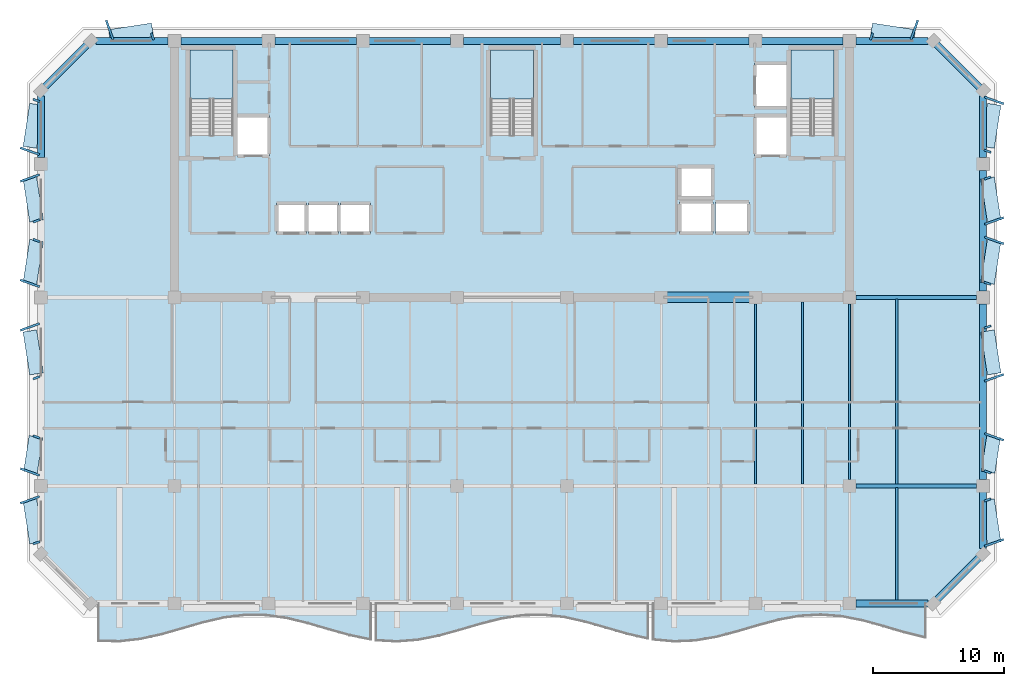
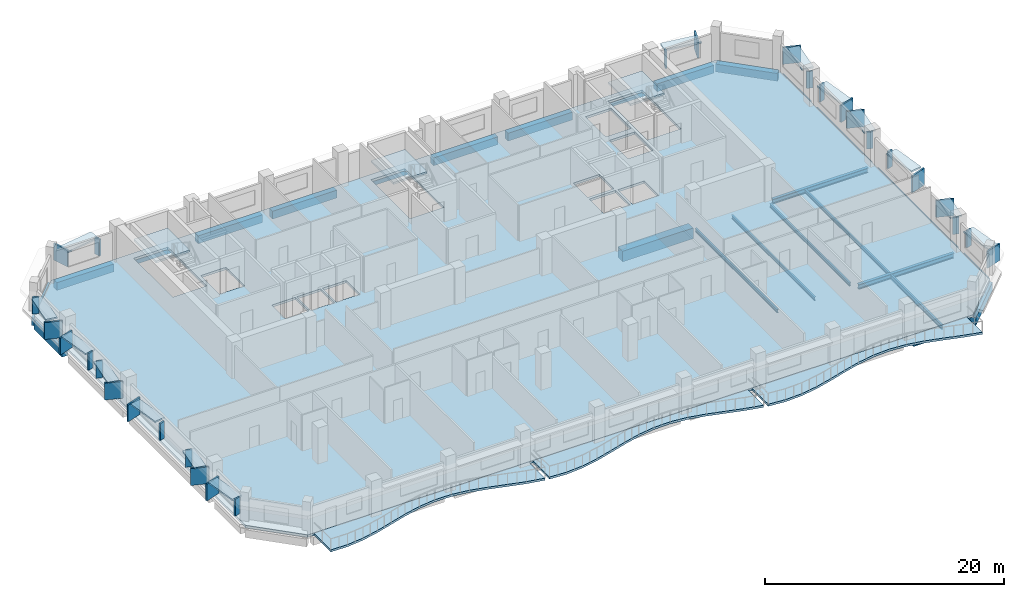
# One storey, part 2 of 11: 42 plates, 26 beams, 7 slabs, 3 elements without a shape of their own.
"""IFC4 building model written with IfcOpenShell, lengths in metres."""

from ifc_helpers import new_model, si_unit, direction, frame, origin, origin_2d, place, context, subcontext, project, spatial, polyline, rectangle, i_section, outline, extrude, material, layer, layer_set, material_profile, profile_set, type_object, element, aggregate, save


model = new_model("IFC4")

# Units and contexts
model_context = context("Model", 3, precision=1e-05, world=origin(), true_north=direction((0.0, 1.0)))
body_context = subcontext(model_context, "Body", "Model", "MODEL_VIEW")
ifc_project = project(units=[si_unit("LENGTHUNIT", "METRE"), si_unit("AREAUNIT", "SQUARE_METRE"), si_unit("VOLUMEUNIT", "CUBIC_METRE"), si_unit("PLANEANGLEUNIT", "RADIAN"), si_unit("MASSUNIT", "GRAM", prefix="KILO")], contexts=[model_context])

# Site, building, storey
site_placement = place(None, origin())
site = spatial("IfcSite", under=ifc_project, at=site_placement, CompositionType="ELEMENT")
building_placement = place(site_placement, origin())
building = spatial("IfcBuilding", under=site, at=building_placement, Name="Kaelvorn Grand Hotel", CompositionType="ELEMENT")
storey_placement = place(building_placement, frame((0.0, 0.0, 244.949951171875)))
storey = spatial("IfcBuildingStorey", under=building, at=storey_placement, Name="L60", CompositionType="ELEMENT", Elevation=244.949951171875)

# Beams
ifc_material_1 = material(Name="Steel S355", Category="steel")
ifc_material_profile_1 = material_profile(ifc_material_1, i_section(OverallWidth=0.300048828125, OverallDepth=0.5, WebThickness=0.014404296875, FlangeThickness=0.028076171875, FilletRadius=0.027099609375, at=origin_2d()), Name="HEB 500")
ifc_profile_set_1 = profile_set([ifc_material_profile_1], Name="Steel S355")
beam_type_1 = type_object("IfcBeamType", Name="BM-G-HEB500-S355", PredefinedType="BEAM", material=ifc_profile_set_1)
for number, where, z_axis, x_axis, name in (
    (1, (68.284912109375, 15.0, -0.489990234375), (1.0, 0.0, 0.0), (0.0, 1.0, 0.0), "L60 Primary Spine Steel Girder G-15 05"),
    (2, (68.284912109375, 29.39990234375, -0.489990234375), (1.0, 0.0, 0.0), (0.0, 1.0, 0.0), "L60 East Core Wing Steel Girder G-29E 01"),
):
    element("IfcBeam", number, at=place(storey_placement, frame(where, z_axis=z_axis, x_axis=x_axis)), inside=storey, type_object=beam_type_1, Name=name, PredefinedType="BEAM", context=body_context, shape_type="SweptSolid", body=[
        extrude(i_section(OverallWidth=0.300048828125, OverallDepth=0.5, WebThickness=0.014404296875, FlangeThickness=0.028076171875, FilletRadius=0.027099609375, at=origin_2d()), origin(), (0.0, 0.0, 1.0), 9.22998046875),
    ])
ifc_material_profile_2 = material_profile(ifc_material_1, i_section(OverallWidth=0.169921875, OverallDepth=0.360107421875, WebThickness=0.008056640625, FlangeThickness=0.0126953125, FilletRadius=0.01806640625, at=origin_2d()), Name="IPE 360")
ifc_profile_set_2 = profile_set([ifc_material_profile_2], Name="Steel S355")
beam_type_2 = type_object("IfcBeamType", Name="BM-J-IPE360-S355", PredefinedType="JOIST", material=ifc_profile_set_2)
beam_1_placement = place(storey_placement, frame((60.60009765625, 15.135009765625, -0.419921875), z_axis=(0.0, 1.0, 0.0), x_axis=(-1.0, 0.0, 0.0)))
element("IfcBeam", 3, at=beam_1_placement, inside=storey, type_object=beam_type_2, Name="L60 Composite Floor Joist JM-17", PredefinedType="JOIST", context=body_context, shape_type="SweptSolid", body=[
    extrude(i_section(OverallWidth=0.169921875, OverallDepth=0.360107421875, WebThickness=0.008056640625, FlangeThickness=0.0126953125, FilletRadius=0.01806640625, at=origin_2d()), origin(), (0.0, 0.0, 1.0), 13.780029296875),
])
beam_2_placement = place(storey_placement, frame((64.199951171875, 15.135009765625, -0.419921875), z_axis=(0.0, 1.0, 0.0), x_axis=(-1.0, 0.0, 0.0)))
element("IfcBeam", 4, at=beam_2_placement, inside=storey, type_object=beam_type_2, Name="L60 Composite Floor Joist JM-18", PredefinedType="JOIST", context=body_context, shape_type="SweptSolid", body=[
    extrude(i_section(OverallWidth=0.169921875, OverallDepth=0.360107421875, WebThickness=0.008056640625, FlangeThickness=0.0126953125, FilletRadius=0.01806640625, at=origin_2d()), origin(), (0.0, 0.0, 1.0), 13.925048828125),
])
beam_3_placement = place(storey_placement, frame((67.800048828125, 15.485107421875, -0.419921875), z_axis=(0.0, 1.0, 0.0), x_axis=(-1.0, 0.0, 0.0)))
element("IfcBeam", 5, at=beam_3_placement, inside=storey, type_object=beam_type_2, Name="L60 Composite Floor Joist JM-19", PredefinedType="JOIST", context=body_context, shape_type="SweptSolid", body=[
    extrude(i_section(OverallWidth=0.169921875, OverallDepth=0.360107421875, WebThickness=0.008056640625, FlangeThickness=0.0126953125, FilletRadius=0.01806640625, at=origin_2d()), origin(), (0.0, 0.0, 1.0), 13.429931640625),
])
beam_4_placement = place(storey_placement, frame((71.39990234375, 15.135009765625, -0.419921875), z_axis=(0.0, 1.0, 0.0), x_axis=(-1.0, 0.0, 0.0)))
element("IfcBeam", 6, at=beam_4_placement, inside=storey, type_object=beam_type_2, Name="L60 Composite Floor Joist JM-20", PredefinedType="JOIST", context=body_context, shape_type="SweptSolid", body=[
    extrude(i_section(OverallWidth=0.169921875, OverallDepth=0.360107421875, WebThickness=0.008056640625, FlangeThickness=0.0126953125, FilletRadius=0.01806640625, at=origin_2d()), origin(), (0.0, 0.0, 1.0), 14.1298828125),
])
ifc_material_profile_3 = material_profile(ifc_material_1, i_section(OverallWidth=0.18994140625, OverallDepth=0.449951171875, WebThickness=0.009521484375, FlangeThickness=0.0146484375, FilletRadius=0.02099609375, at=origin_2d()), Name="IPE 450")
ifc_profile_set_3 = profile_set([ifc_material_profile_3], Name="Steel S355")
beam_type_3 = type_object("IfcBeamType", Name="BM-J-IPE450-S355", PredefinedType="JOIST", material=ifc_profile_set_3)
beam_5_placement = place(storey_placement, frame((71.39990234375, 6.260009765625, -0.46484375), z_axis=(0.0, 1.0, 0.0), x_axis=(-1.0, 0.0, 0.0)))
element("IfcBeam", 7, at=beam_5_placement, inside=storey, type_object=beam_type_3, Name="L60 Composite Floor Joist JS-20", PredefinedType="JOIST", context=body_context, shape_type="SweptSolid", body=[
    extrude(i_section(OverallWidth=0.18994140625, OverallDepth=0.449951171875, WebThickness=0.009521484375, FlangeThickness=0.0146484375, FilletRadius=0.02099609375, at=origin_2d()), origin(), (0.0, 0.0, 1.0), 8.60498046875),
])
ifc_material_2 = material(Name="Concrete C60/75", Category="concrete")
ifc_material_profile_4 = material_profile(ifc_material_2, rectangle(XDim=0.800048828125, YDim=1.10009765625, at=origin_2d()), Name="RC LINTEL 800x1100")
ifc_profile_set_4 = profile_set([ifc_material_profile_4], Name="Concrete C60/75")
beam_type_4 = type_object("IfcBeamType", Name="BM-LIN-800x1100-C60", PredefinedType="LINTEL", material=ifc_profile_set_4)
beam_6_placement = place(storey_placement, frame((53.580078125, 29.39990234375, -0.7900390625), z_axis=(1.0, 0.0, 0.0), x_axis=(0.0, 1.0, 0.0)))
element("IfcBeam", 8, at=beam_6_placement, inside=storey, type_object=beam_type_4, Name="L60 Rear-Core Coupling Lintel Beam CB1-03", PredefinedType="LINTEL", context=body_context, shape_type="SweptSolid", body=[
    extrude(rectangle(XDim=0.800048828125, YDim=1.10009765625, at=origin_2d()), origin(), (0.0, 0.0, 1.0), 6.83984375),
])
ifc_material_3 = material(Name="Concrete C50/60", Category="concrete")
ifc_material_profile_5 = material_profile(ifc_material_3, rectangle(XDim=0.550048828125, YDim=0.800048828125, at=origin_2d()), Name="RC SPANDREL 550x800")
ifc_profile_set_5 = profile_set([ifc_material_profile_5], Name="Concrete C50/60")
beam_type_5 = type_object("IfcBeamType", Name="BM-SP-550x800-C50", PredefinedType="SPANDREL", material=ifc_profile_set_5)
for number, where, z_axis, x_axis, name in (
    (9, (68.284912109375, 6.0, -0.639892578125), (1.0, 0.0, 0.0), (0.0, 1.0, 0.0), "L60 South Perimeter Spandrel 09"),
    (10, (10.205078125, 49.0, -0.639892578125), (1.0, 0.0, 0.0), (0.0, 1.0, 0.0), "L60 North Perimeter Spandrel 01"),
):
    element("IfcBeam", number, at=place(storey_placement, frame(where, z_axis=z_axis, x_axis=x_axis)), inside=storey, type_object=beam_type_5, Name=name, PredefinedType="SPANDREL", context=body_context, shape_type="SweptSolid", body=[
        extrude(rectangle(XDim=0.550048828125, YDim=0.800048828125, at=origin_2d()), origin(), (0.0, 0.0, 1.0), 5.510009765625),
    ])
for number, where, z_axis, x_axis, name in (
    (11, (16.68505859375, 49.0, -0.639892578125), (1.0, 0.0, 0.0), (0.0, 1.0, 0.0), "L60 North Perimeter Spandrel 02"),
    (12, (23.885009765625, 49.0, -0.639892578125), (1.0, 0.0, 0.0), (0.0, 1.0, 0.0), "L60 North Perimeter Spandrel 03"),
    (13, (31.0849609375, 49.0, -0.639892578125), (1.0, 0.0, 0.0), (0.0, 1.0, 0.0), "L60 North Perimeter Spandrel 04"),
):
    element("IfcBeam", number, at=place(storey_placement, frame(where, z_axis=z_axis, x_axis=x_axis)), inside=storey, type_object=beam_type_5, Name=name, PredefinedType="SPANDREL", context=body_context, shape_type="SweptSolid", body=[
        extrude(rectangle(XDim=0.550048828125, YDim=0.800048828125, at=origin_2d()), origin(), (0.0, 0.0, 1.0), 6.22998046875),
    ])
beam_7_placement = place(storey_placement, frame((38.284912109375, 49.0, -0.639892578125), z_axis=(1.0, 0.0, 0.0), x_axis=(0.0, 1.0, 0.0)))
element("IfcBeam", 14, at=beam_7_placement, inside=storey, type_object=beam_type_5, Name="L60 North Perimeter Spandrel 05", PredefinedType="SPANDREL", context=body_context, shape_type="SweptSolid", body=[
    extrude(rectangle(XDim=0.550048828125, YDim=0.800048828125, at=origin_2d()), origin(), (0.0, 0.0, 1.0), 7.43017578125),
])
for number, where, z_axis, x_axis, name in (
    (15, (46.68505859375, 49.0, -0.639892578125), (1.0, 0.0, 0.0), (0.0, 1.0, 0.0), "L60 North Perimeter Spandrel 06"),
    (16, (53.885009765625, 49.0, -0.639892578125), (1.0, 0.0, 0.0), (0.0, 1.0, 0.0), "L60 North Perimeter Spandrel 07"),
    (17, (61.0849609375, 49.0, -0.639892578125), (1.0, 0.0, 0.0), (0.0, 1.0, 0.0), "L60 North Perimeter Spandrel 08"),
):
    element("IfcBeam", number, at=place(storey_placement, frame(where, z_axis=z_axis, x_axis=x_axis)), inside=storey, type_object=beam_type_5, Name=name, PredefinedType="SPANDREL", context=body_context, shape_type="SweptSolid", body=[
        extrude(rectangle(XDim=0.550048828125, YDim=0.800048828125, at=origin_2d()), origin(), (0.0, 0.0, 1.0), 6.22998046875),
    ])
beam_8_placement = place(storey_placement, frame((68.284912109375, 49.0, -0.639892578125), z_axis=(1.0, 0.0, 0.0), x_axis=(0.0, 1.0, 0.0)))
element("IfcBeam", 18, at=beam_8_placement, inside=storey, type_object=beam_type_5, Name="L60 North Perimeter Spandrel 09", PredefinedType="SPANDREL", context=body_context, shape_type="SweptSolid", body=[
    extrude(rectangle(XDim=0.550048828125, YDim=0.800048828125, at=origin_2d()), origin(), (0.0, 0.0, 1.0), 5.510009765625),
])
beam_9_placement = place(storey_placement, frame((6.0, 40.0849609375, -0.639892578125), z_axis=(0.0, 1.0, 0.0), x_axis=(-1.0, 0.0, 0.0)))
element("IfcBeam", 19, at=beam_9_placement, inside=storey, type_object=beam_type_5, Name="L60 West Perimeter Spandrel 04", PredefinedType="SPANDREL", context=body_context, shape_type="SweptSolid", body=[
    extrude(rectangle(XDim=0.550048828125, YDim=0.800048828125, at=origin_2d()), origin(), (0.0, 0.0, 1.0), 4.7099609375),
])
beam_10_placement = place(storey_placement, frame((78.0, 10.205078125, -0.639892578125), z_axis=(0.0, 1.0, 0.0), x_axis=(-1.0, 0.0, 0.0)))
element("IfcBeam", 20, at=beam_10_placement, inside=storey, type_object=beam_type_5, Name="L60 East Perimeter Spandrel 01", PredefinedType="SPANDREL", context=body_context, shape_type="SweptSolid", body=[
    extrude(rectangle(XDim=0.550048828125, YDim=0.800048828125, at=origin_2d()), origin(), (0.0, 0.0, 1.0), 4.309814453125),
])
beam_11_placement = place(storey_placement, frame((78.0, 15.485107421875, -0.639892578125), z_axis=(0.0, 1.0, 0.0), x_axis=(-1.0, 0.0, 0.0)))
element("IfcBeam", 21, at=beam_11_placement, inside=storey, type_object=beam_type_5, Name="L60 East Perimeter Spandrel 02", PredefinedType="SPANDREL", context=body_context, shape_type="SweptSolid", body=[
    extrude(rectangle(XDim=0.550048828125, YDim=0.800048828125, at=origin_2d()), origin(), (0.0, 0.0, 1.0), 13.429931640625),
])
beam_12_placement = place(storey_placement, frame((78.0, 29.885009765625, -0.639892578125), z_axis=(0.0, 1.0, 0.0), x_axis=(-1.0, 0.0, 0.0)))
element("IfcBeam", 22, at=beam_12_placement, inside=storey, type_object=beam_type_5, Name="L60 East Perimeter Spandrel 03", PredefinedType="SPANDREL", context=body_context, shape_type="SweptSolid", body=[
    extrude(rectangle(XDim=0.550048828125, YDim=0.800048828125, at=origin_2d()), origin(), (0.0, 0.0, 1.0), 9.22998046875),
])
beam_13_placement = place(storey_placement, frame((78.0, 40.0849609375, -0.639892578125), z_axis=(0.0, 1.0, 0.0), x_axis=(-1.0, 0.0, 0.0)))
element("IfcBeam", 23, at=beam_13_placement, inside=storey, type_object=beam_type_5, Name="L60 East Perimeter Spandrel 04", PredefinedType="SPANDREL", context=body_context, shape_type="SweptSolid", body=[
    extrude(rectangle(XDim=0.550048828125, YDim=0.800048828125, at=origin_2d()), origin(), (0.0, 0.0, 1.0), 4.7099609375),
])
for number, where, z_axis, x_axis, name in (
    (24, (74.199951171875, 6.0, -0.639892578125), (0.707106781187, 0.707106781187, 0.0), (-0.707106781187, 0.707106781187, 0.0), "L60 Chamfer Spandrel Beam 1"),
    (25, (78.0, 45.199951171875, -0.639892578125), (-0.707106781187, 0.707106781187, 0.0), (-0.707106781187, -0.707106781187, 0.0), "L60 Chamfer Spandrel Beam 2"),
    (26, (9.800048828125, 49.0, -0.639892578125), (-0.707106781187, -0.707106781187, 0.0), (0.707106781187, -0.707106781187, 0.0), "L60 Chamfer Spandrel Beam 3"),
):
    element("IfcBeam", number, at=place(storey_placement, frame(where, z_axis=z_axis, x_axis=x_axis)), inside=storey, type_object=beam_type_5, Name=name, PredefinedType="SPANDREL", context=body_context, shape_type="SweptSolid", body=[
        extrude(rectangle(XDim=0.550048828125, YDim=0.800048828125, at=origin_2d()), origin(), (0.0, 0.0, 1.0), 5.3740234375),
    ])

# Plates
ifc_material_4 = material(Name="Precast concrete C45/55", Category="concrete")
ifc_layer_1 = layer(ifc_material_4, 0.159912109375)
ifc_layer_set_1 = layer_set([ifc_layer_1], Name="Precast concrete C45/55")
plate_type_1 = type_object("IfcPlateType", Name="PL-FRAME-DEEP-1550", PredefinedType="USERDEFINED", material=ifc_layer_set_1)
for number, where, z_axis, x_axis, name in (
    (27, (78.844970703125, 10.64501953125, 0.740234375), (0.0, 0.0, 1.0), (-0.333806859234, 0.942641491092, 0.0), "L60 Tilted Precast Window Frame Fin L-E01"),
    (28, (78.844970703125, 18.739990234375, 0.740234375), (0.0, 0.0, 1.0), (0.333806859234, 0.942641491092, 0.0), "L60 Tilted Precast Window Frame Fin R-E02"),
    (29, (78.844970703125, 23.260009765625, 0.81494140625), (0.0, 0.0, 1.0), (-0.333806859234, 0.942641491092, 0.0), "L60 Tilted Precast Window Frame Fin L-E03"),
    (30, (78.844970703125, 33.7548828125, 0.740234375), (0.0, 0.0, 1.0), (0.333806859234, 0.942641491092, 0.0), "L60 Tilted Precast Window Frame Fin R-E04"),
    (31, (78.844970703125, 35.2451171875, 0.740234375), (0.0, 0.0, 1.0), (-0.333806859234, 0.942641491092, 0.0), "L60 Tilted Precast Window Frame Fin L-E05"),
    (32, (78.844970703125, 44.455078125, 0.81494140625), (0.0, 0.0, 1.0), (0.333806859234, 0.942641491092, 0.0), "L60 Tilted Precast Window Frame Fin R-E06"),
    (33, (5.155029296875, 13.925048828125, 0.740234375), (0.0, 0.0, 1.0), (-0.333806859234, 0.942641491092, 0.0), "L60 Tilted Precast Window Frame Fin R-W01"),
    (34, (5.155029296875, 16.06005859375, 0.740234375), (0.0, 0.0, 1.0), (0.333806859234, 0.942641491092, 0.0), "L60 Tilted Precast Window Frame Fin L-W02"),
    (35, (5.155029296875, 27.139892578125, 0.81494140625), (0.0, 0.0, 1.0), (-0.333806859234, 0.942641491092, 0.0), "L60 Tilted Precast Window Frame Fin R-W03"),
    (36, (5.155029296875, 30.47509765625, 0.740234375), (0.0, 0.0, 1.0), (0.333806859234, 0.942641491092, 0.0), "L60 Tilted Precast Window Frame Fin L-W04"),
    (37, (5.155029296875, 38.52490234375, 0.740234375), (0.0, 0.0, 1.0), (-0.333806859234, 0.942641491092, 0.0), "L60 Tilted Precast Window Frame Fin R-W05"),
    (38, (5.155029296875, 40.574951171875, 0.81494140625), (0.0, 0.0, 1.0), (0.333806859234, 0.942641491092, 0.0), "L60 Tilted Precast Window Frame Fin L-W06"),
    (39, (11.2451171875, 49.844970703125, 0.740234375), (0.0, 0.0, 1.0), (0.942641491092, 0.333806859234, 0.0), "L60 Tilted Precast Window Frame Fin L-N01"),
    (40, (72.7548828125, 49.844970703125, 0.740234375), (0.0, 0.0, 1.0), (0.942641491092, -0.333806859234, 0.0), "L60 Tilted Precast Window Frame Fin R-N02"),
):
    element("IfcPlate", number, at=place(storey_placement, frame(where, z_axis=z_axis, x_axis=x_axis)), inside=storey, type_object=plate_type_1, Name=name, ObjectType="FLANGE_PLATE", PredefinedType="USERDEFINED", context=body_context, shape_type="SweptSolid", body=[
        extrude(rectangle(XDim=0.159912109375, YDim=1.550048828125, at=origin_2d()), origin(), (0.0, 0.0, 1.0), 1.719970703125),
    ])
ifc_layer_2 = layer(ifc_material_4, 0.159912109375)
ifc_layer_set_2 = layer_set([ifc_layer_2], Name="Precast concrete C45/55")
plate_type_2 = type_object("IfcPlateType", Name="PL-FRAME-HEAD-1050", PredefinedType="USERDEFINED", material=ifc_layer_set_2)
plate_1_placement = place(storey_placement, frame((78.594970703125, 12.284912109375, 2.35009765625), z_axis=(0.0, 0.0, 1.0), x_axis=(-0.152554625759, 0.988295040036, 0.0)))
element("IfcPlate", 41, at=plate_1_placement, inside=storey, type_object=plate_type_2, Name="L60 Precast Window Frame Head Hood H-E01", ObjectType="FLANGE_PLATE", PredefinedType="USERDEFINED", context=body_context, shape_type="SweptSolid", body=[
    extrude(rectangle(XDim=3.320068359375, YDim=1.050048828125, at=origin_2d()), origin(), (0.0, 0.0, 1.0), 0.159912109375),
])
plate_2_placement = place(storey_placement, frame((78.594970703125, 17.39990234375, 2.35009765625), z_axis=(0.0, 0.0, 1.0), x_axis=(0.152554625759, 0.988295040036, 0.0)))
element("IfcPlate", 42, at=plate_2_placement, inside=storey, type_object=plate_type_2, Name="L60 Precast Window Frame Head Hood H-E02", ObjectType="FLANGE_PLATE", PredefinedType="USERDEFINED", context=body_context, shape_type="SweptSolid", body=[
    extrude(rectangle(XDim=2.760009765625, YDim=1.050048828125, at=origin_2d()), origin(), (0.0, 0.0, 1.0), 0.159912109375),
])
for number, where, z_axis, x_axis, name in (
    (43, (78.594970703125, 25.199951171875, 2.5), (0.0, 0.0, 1.0), (-0.152554625759, 0.988295040036, 0.0), "L60 Precast Window Frame Head Hood H-E03"),
    (44, (78.594970703125, 32.114990234375, 2.35009765625), (0.0, 0.0, 1.0), (0.152554625759, 0.988295040036, 0.0), "L60 Precast Window Frame Head Hood H-E04"),
    (45, (78.594970703125, 36.885009765625, 2.35009765625), (0.0, 0.0, 1.0), (-0.152554625759, 0.988295040036, 0.0), "L60 Precast Window Frame Head Hood H-E05"),
    (46, (78.594970703125, 42.514892578125, 2.5), (0.0, 0.0, 1.0), (0.152554625759, 0.988295040036, 0.0), "L60 Precast Window Frame Head Hood H-E06"),
    (47, (5.405029296875, 12.284912109375, 2.35009765625), (0.0, 0.0, 1.0), (-0.152554625759, 0.988295040036, 0.0), "L60 Precast Window Frame Head Hood H-W01"),
):
    element("IfcPlate", number, at=place(storey_placement, frame(where, z_axis=z_axis, x_axis=x_axis)), inside=storey, type_object=plate_type_2, Name=name, ObjectType="FLANGE_PLATE", PredefinedType="USERDEFINED", context=body_context, shape_type="SweptSolid", body=[
        extrude(rectangle(XDim=3.320068359375, YDim=1.050048828125, at=origin_2d()), origin(), (0.0, 0.0, 1.0), 0.159912109375),
    ])
plate_3_placement = place(storey_placement, frame((5.405029296875, 17.39990234375, 2.35009765625), z_axis=(0.0, 0.0, 1.0), x_axis=(0.152554625759, 0.988295040036, 0.0)))
element("IfcPlate", 48, at=plate_3_placement, inside=storey, type_object=plate_type_2, Name="L60 Precast Window Frame Head Hood H-W02", ObjectType="FLANGE_PLATE", PredefinedType="USERDEFINED", context=body_context, shape_type="SweptSolid", body=[
    extrude(rectangle(XDim=2.760009765625, YDim=1.050048828125, at=origin_2d()), origin(), (0.0, 0.0, 1.0), 0.159912109375),
])
for number, where, z_axis, x_axis, name in (
    (49, (5.405029296875, 25.199951171875, 2.5), (0.0, 0.0, 1.0), (-0.152554625759, 0.988295040036, 0.0), "L60 Precast Window Frame Head Hood H-W03"),
    (50, (5.405029296875, 32.114990234375, 2.35009765625), (0.0, 0.0, 1.0), (0.152554625759, 0.988295040036, 0.0), "L60 Precast Window Frame Head Hood H-W04"),
    (51, (5.405029296875, 36.885009765625, 2.35009765625), (0.0, 0.0, 1.0), (-0.152554625759, 0.988295040036, 0.0), "L60 Precast Window Frame Head Hood H-W05"),
    (52, (5.405029296875, 42.514892578125, 2.5), (0.0, 0.0, 1.0), (0.152554625759, 0.988295040036, 0.0), "L60 Precast Window Frame Head Hood H-W06"),
    (53, (12.885009765625, 49.594970703125, 2.35009765625), (0.0, 0.0, 1.0), (0.988295040036, 0.152554625759, 0.0), "L60 Precast Window Frame Head Hood H-N01"),
    (54, (71.114990234375, 49.594970703125, 2.35009765625), (0.0, 0.0, 1.0), (0.988295040036, -0.152554625759, 0.0), "L60 Precast Window Frame Head Hood H-N02"),
):
    element("IfcPlate", number, at=place(storey_placement, frame(where, z_axis=z_axis, x_axis=x_axis)), inside=storey, type_object=plate_type_2, Name=name, ObjectType="FLANGE_PLATE", PredefinedType="USERDEFINED", context=body_context, shape_type="SweptSolid", body=[
        extrude(rectangle(XDim=3.320068359375, YDim=1.050048828125, at=origin_2d()), origin(), (0.0, 0.0, 1.0), 0.159912109375),
    ])
ifc_layer_3 = layer(ifc_material_4, 0.159912109375)
ifc_layer_set_3 = layer_set([ifc_layer_3], Name="Precast concrete C45/55")
plate_type_3 = type_object("IfcPlateType", Name="PL-FRAME-SHAL-550", PredefinedType="USERDEFINED", material=ifc_layer_set_3)
for number, where, z_axis, x_axis, name in (
    (55, (78.344970703125, 13.925048828125, 0.740234375), (0.0, 0.0, 1.0), (-0.333806859234, 0.942641491092, 0.0), "L60 Tilted Precast Window Frame Fin R-E01"),
    (56, (78.344970703125, 16.06005859375, 0.740234375), (0.0, 0.0, 1.0), (0.333806859234, 0.942641491092, 0.0), "L60 Tilted Precast Window Frame Fin L-E02"),
    (57, (78.344970703125, 27.139892578125, 0.81494140625), (0.0, 0.0, 1.0), (-0.333806859234, 0.942641491092, 0.0), "L60 Tilted Precast Window Frame Fin R-E03"),
    (58, (78.344970703125, 30.47509765625, 0.740234375), (0.0, 0.0, 1.0), (0.333806859234, 0.942641491092, 0.0), "L60 Tilted Precast Window Frame Fin L-E04"),
    (59, (78.344970703125, 38.52490234375, 0.740234375), (0.0, 0.0, 1.0), (-0.333806859234, 0.942641491092, 0.0), "L60 Tilted Precast Window Frame Fin R-E05"),
    (60, (78.344970703125, 40.574951171875, 0.81494140625), (0.0, 0.0, 1.0), (0.333806859234, 0.942641491092, 0.0), "L60 Tilted Precast Window Frame Fin L-E06"),
    (61, (5.655029296875, 10.64501953125, 0.740234375), (0.0, 0.0, 1.0), (-0.333806859234, 0.942641491092, 0.0), "L60 Tilted Precast Window Frame Fin L-W01"),
    (62, (5.655029296875, 18.739990234375, 0.740234375), (0.0, 0.0, 1.0), (0.333806859234, 0.942641491092, 0.0), "L60 Tilted Precast Window Frame Fin R-W02"),
    (63, (5.655029296875, 23.260009765625, 0.81494140625), (0.0, 0.0, 1.0), (-0.333806859234, 0.942641491092, 0.0), "L60 Tilted Precast Window Frame Fin L-W03"),
    (64, (5.655029296875, 33.7548828125, 0.740234375), (0.0, 0.0, 1.0), (0.333806859234, 0.942641491092, 0.0), "L60 Tilted Precast Window Frame Fin R-W04"),
    (65, (5.655029296875, 35.2451171875, 0.740234375), (0.0, 0.0, 1.0), (-0.333806859234, 0.942641491092, 0.0), "L60 Tilted Precast Window Frame Fin L-W05"),
    (66, (5.655029296875, 44.455078125, 0.81494140625), (0.0, 0.0, 1.0), (0.333806859234, 0.942641491092, 0.0), "L60 Tilted Precast Window Frame Fin R-W06"),
    (67, (14.52490234375, 49.344970703125, 0.740234375), (0.0, 0.0, 1.0), (0.942641491092, 0.333806859234, 0.0), "L60 Tilted Precast Window Frame Fin R-N01"),
    (68, (69.47509765625, 49.344970703125, 0.740234375), (0.0, 0.0, 1.0), (0.942641491092, -0.333806859234, 0.0), "L60 Tilted Precast Window Frame Fin L-N02"),
):
    element("IfcPlate", number, at=place(storey_placement, frame(where, z_axis=z_axis, x_axis=x_axis)), inside=storey, type_object=plate_type_3, Name=name, ObjectType="FLANGE_PLATE", PredefinedType="USERDEFINED", context=body_context, shape_type="SweptSolid", body=[
        extrude(rectangle(XDim=0.159912109375, YDim=0.550048828125, at=origin_2d()), origin(), (0.0, 0.0, 1.0), 1.719970703125),
    ])

# Slabs
ifc_material_5 = material(Name="Concrete C40/50", Category="concrete")
ifc_layer_4 = layer(ifc_material_5, 0.219970703125)
ifc_layer_set_4 = layer_set([ifc_layer_4], Name="Concrete C40/50")
slab_type_1 = type_object("IfcSlabType", Name="SLB-BALC-220-C40", PredefinedType="FLOOR", material=ifc_layer_set_4)
slab_1_placement = place(storey_placement, frame((0.0, 0.0, -0.219970703125)))
element("IfcSlab", 69, at=slab_1_placement, inside=storey, type_object=slab_type_1, Name="L60 Scalloped Wave Balcony Slab 1", PredefinedType="FLOOR", context=body_context, shape_type="SweptSolid", body=[
    extrude(outline(polyline([(10.39990234375, 3.150146484375), (12.0, 3.11181640625), (13.60009765625, 3.288818359375), (15.199951171875, 3.643798828125), (16.800048828125, 4.10107421875), (18.39990234375, 4.5634765625), (20.0, 4.9326171875), (21.60009765625, 5.130126953125), (23.199951171875, 5.113525390625), (24.800048828125, 4.88671875), (26.39990234375, 4.497802734375), (28.0, 4.02978515625), (29.60009765625, 3.581787109375), (31.199951171875, 3.24951171875), (31.199951171875, 6.0), (10.39990234375, 6.0), (10.39990234375, 3.150146484375)])), origin(), (0.0, 0.0, 1.0), 0.219970703125),
])
slab_2_placement = place(storey_placement, frame((0.0, 0.0, -0.219970703125)))
element("IfcSlab", 70, at=slab_2_placement, inside=storey, type_object=slab_type_1, Name="L60 Scalloped Wave Balcony Slab 2", PredefinedType="FLOOR", context=body_context, shape_type="SweptSolid", body=[
    extrude(outline(polyline([(31.60009765625, 3.193603515625), (33.199951171875, 3.1005859375), (34.800048828125, 3.2255859375), (36.39990234375, 3.5419921875), (38.0, 3.982421875), (39.60009765625, 4.453125), (41.199951171875, 4.85400390625), (42.800048828125, 5.099853515625), (44.39990234375, 5.13818359375), (46.0, 4.961181640625), (47.60009765625, 4.606201171875), (49.199951171875, 4.14892578125), (50.800048828125, 3.6865234375), (52.39990234375, 3.3173828125), (52.39990234375, 6.0), (31.60009765625, 6.0), (31.60009765625, 3.193603515625)])), origin(), (0.0, 0.0, 1.0), 0.219970703125),
])
slab_3_placement = place(storey_placement, frame((0.0, 0.0, -0.219970703125)))
element("IfcSlab", 71, at=slab_3_placement, inside=storey, type_object=slab_type_1, Name="L60 Scalloped Wave Balcony Slab 3", PredefinedType="FLOOR", context=body_context, shape_type="SweptSolid", body=[
    extrude(outline(polyline([(52.800048828125, 3.24951171875), (54.39990234375, 3.103515625), (56.0, 3.174560546875), (57.60009765625, 3.447998046875), (59.199951171875, 3.865478515625), (60.800048828125, 4.338134765625), (62.39990234375, 4.765380859375), (64.0, 5.056396484375), (65.60009765625, 5.1494140625), (67.199951171875, 5.0244140625), (68.800048828125, 4.7080078125), (70.39990234375, 4.267578125), (72.0, 3.796875), (73.60009765625, 3.39599609375), (73.60009765625, 6.0), (52.800048828125, 6.0), (52.800048828125, 3.24951171875)])), origin(), (0.0, 0.0, 1.0), 0.219970703125),
])
ifc_layer_5 = layer(ifc_material_5, 0.239990234375)
ifc_layer_set_5 = layer_set([ifc_layer_5], Name="Concrete C40/50")
slab_type_2 = type_object("IfcSlabType", Name="SLB-FLR-240-C40", PredefinedType="FLOOR", material=ifc_layer_set_5)
slab_4_placement = place(storey_placement, frame((0.0, 0.0, -0.239990234375)))
element("IfcSlab", 72, at=slab_4_placement, inside=storey, type_object=slab_type_2, Name="L60 Indoor Suspended Floor Slab", PredefinedType="FLOOR", context=body_context, shape_type="SweptSolid", body=[
    extrude(outline(polyline([(9.800048828125, 6.0), (74.199951171875, 6.0), (78.0, 9.800048828125), (78.0, 45.199951171875), (74.199951171875, 49.0), (9.800048828125, 49.0), (6.0, 45.199951171875), (6.0, 9.800048828125), (9.800048828125, 6.0)]), holes=[polyline([(17.39990234375, 41.760009765625), (17.39990234375, 48.300048828125), (20.679931640625, 48.300048828125), (20.679931640625, 41.760009765625), (17.39990234375, 41.760009765625)]), polyline([(40.360107421875, 41.760009765625), (40.360107421875, 48.300048828125), (43.639892578125, 48.300048828125), (43.639892578125, 41.760009765625), (40.360107421875, 41.760009765625)]), polyline([(63.320068359375, 41.760009765625), (63.320068359375, 48.300048828125), (66.60009765625, 48.300048828125), (66.60009765625, 41.760009765625), (63.320068359375, 41.760009765625)]), polyline([(24.0, 34.300048828125), (24.0, 36.60009765625), (26.300048828125, 36.60009765625), (26.300048828125, 34.300048828125), (24.0, 34.300048828125)]), polyline([(26.449951171875, 34.300048828125), (26.449951171875, 36.60009765625), (28.75, 36.60009765625), (28.75, 34.300048828125), (26.449951171875, 34.300048828125)]), polyline([(28.89990234375, 34.300048828125), (28.89990234375, 36.60009765625), (31.199951171875, 36.60009765625), (31.199951171875, 34.300048828125), (28.89990234375, 34.300048828125)]), polyline([(54.800048828125, 34.300048828125), (54.800048828125, 36.699951171875), (57.35009765625, 36.699951171875), (57.35009765625, 34.300048828125), (54.800048828125, 34.300048828125)]), polyline([(57.550048828125, 34.300048828125), (57.550048828125, 36.699951171875), (60.10009765625, 36.699951171875), (60.10009765625, 34.300048828125), (57.550048828125, 34.300048828125)]), polyline([(54.800048828125, 37.0), (54.800048828125, 39.39990234375), (57.35009765625, 39.39990234375), (57.35009765625, 37.0), (54.800048828125, 37.0)]), polyline([(21.0, 40.199951171875), (21.0, 43.300048828125), (23.449951171875, 43.300048828125), (23.449951171875, 40.199951171875), (21.0, 40.199951171875)]), polyline([(60.550048828125, 40.199951171875), (60.550048828125, 43.300048828125), (63.0, 43.300048828125), (63.0, 40.199951171875), (60.550048828125, 40.199951171875)]), polyline([(60.550048828125, 43.89990234375), (60.550048828125, 47.300048828125), (63.0, 47.300048828125), (63.0, 43.89990234375), (60.550048828125, 43.89990234375)])]), origin(), (0.0, 0.0, 1.0), 0.239990234375),
])

# Stair, slab
stair_type = type_object("IfcStairType", Name="STR-DOG-1560-R09", PredefinedType="HALF_TURN_STAIR", material=ifc_material_5)
stair_1_placement = place(storey_placement, origin())
stair_1 = element("IfcStair", 73, at=stair_1_placement, inside=storey, type_object=stair_type, Name="L60 West Core Exit Stair ST1", PredefinedType="HALF_TURN_STAIR")
ifc_layer_6 = layer(ifc_material_5, 0.199951171875)
ifc_layer_set_6 = layer_set([ifc_layer_6], Name="Concrete C40/50")
slab_type_3 = type_object("IfcSlabType", Name="SLB-LAND-200-C40", PredefinedType="LANDING", material=ifc_layer_set_6)
slab_5_placement = place(storey_placement, frame((0.0, 0.0, 1.775146484375)))
slab_5 = element("IfcSlab", 74, at=slab_5_placement, type_object=slab_type_3, Name="ST1 landing 1", PredefinedType="LANDING", context=body_context, shape_type="SweptSolid", body=[
    extrude(outline(polyline([(20.679931640625, 44.56005859375), (20.679931640625, 48.300048828125), (17.39990234375, 48.300048828125), (17.39990234375, 44.56005859375), (20.679931640625, 44.56005859375)])), origin(), (0.0, 0.0, 1.0), 0.199951171875),
])
aggregate(stair_1, [slab_5])

stair_2_placement = place(storey_placement, origin())
stair_2 = element("IfcStair", 75, at=stair_2_placement, inside=storey, type_object=stair_type, Name="L60 Central Core Exit Stair ST2", PredefinedType="HALF_TURN_STAIR")
slab_6_placement = place(storey_placement, frame((0.0, 0.0, 1.775146484375)))
slab_6 = element("IfcSlab", 76, at=slab_6_placement, type_object=slab_type_3, Name="ST2 landing 1", PredefinedType="LANDING", context=body_context, shape_type="SweptSolid", body=[
    extrude(outline(polyline([(43.639892578125, 44.56005859375), (43.639892578125, 48.300048828125), (40.360107421875, 48.300048828125), (40.360107421875, 44.56005859375), (43.639892578125, 44.56005859375)])), origin(), (0.0, 0.0, 1.0), 0.199951171875),
])
aggregate(stair_2, [slab_6])

stair_3_placement = place(storey_placement, origin())
stair_3 = element("IfcStair", 77, at=stair_3_placement, inside=storey, type_object=stair_type, Name="L60 East Core Exit Stair ST3", PredefinedType="HALF_TURN_STAIR")
slab_7_placement = place(storey_placement, frame((0.0, 0.0, 1.775146484375)))
slab_7 = element("IfcSlab", 78, at=slab_7_placement, type_object=slab_type_3, Name="ST3 landing 1", PredefinedType="LANDING", context=body_context, shape_type="SweptSolid", body=[
    extrude(outline(polyline([(66.60009765625, 44.56005859375), (66.60009765625, 48.300048828125), (63.320068359375, 48.300048828125), (63.320068359375, 44.56005859375), (66.60009765625, 44.56005859375)])), origin(), (0.0, 0.0, 1.0), 0.199951171875),
])
aggregate(stair_3, [slab_7])

save(model, "model.ifc")
